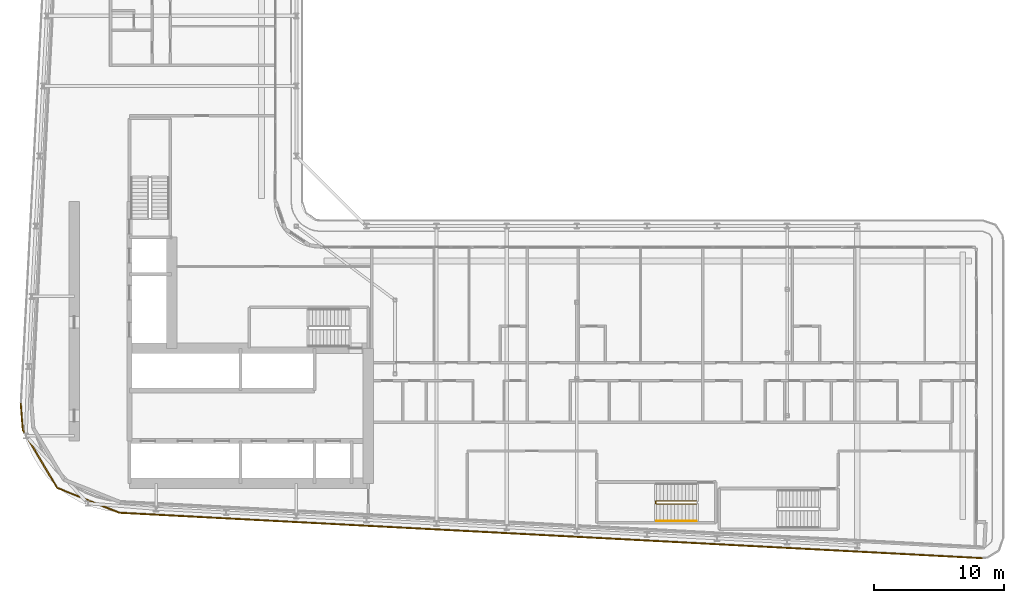
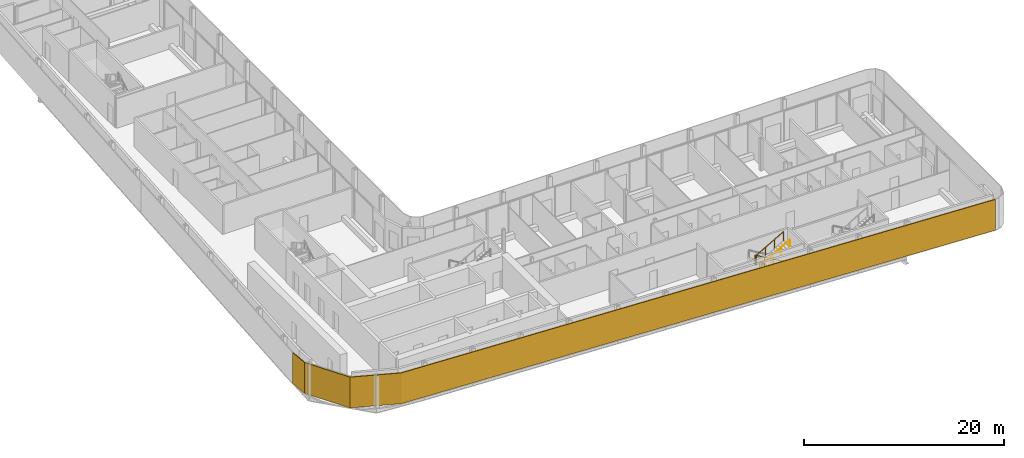
# One storey, part 24 of 28: 2 railings, 1 shading device.
"""IFC4 building model written with IfcOpenShell, lengths in metres."""

from ifc_helpers import new_model, si_unit, direction, frame, origin, origin_2d, place, context, subcontext, project, spatial, polyline, circle, outline, extrude, material, layer, layer_set, type_object, element, save


model = new_model("IFC4")

# Units and contexts
model_context = context("Model", 3, precision=1e-05, world=origin(), true_north=direction((0.0, 1.0)))
body_context = subcontext(model_context, "Body", "Model", "MODEL_VIEW")
ifc_project = project(units=[si_unit("LENGTHUNIT", "METRE"), si_unit("AREAUNIT", "SQUARE_METRE"), si_unit("VOLUMEUNIT", "CUBIC_METRE"), si_unit("PLANEANGLEUNIT", "RADIAN"), si_unit("MASSUNIT", "GRAM", prefix="KILO")], contexts=[model_context])

# Site, building, storey
site_placement = place(None, origin())
site = spatial("IfcSite", under=ifc_project, at=site_placement, CompositionType="ELEMENT")
building_placement = place(site_placement, origin())
building = spatial("IfcBuilding", under=site, at=building_placement, Name="Kheshtan School and Residences Tower", CompositionType="ELEMENT")
storey_placement = place(building_placement, frame((0.0, 0.0, 191.60009765625)))
storey = spatial("IfcBuildingStorey", under=building, at=storey_placement, Name="L45", CompositionType="ELEMENT", Elevation=191.60009765625)

# Shading device
ifc_material_1 = material(Name="Terracotta baguette, extruded ceramic", Category="masonry")
ifc_layer = layer(ifc_material_1, 0.10009765625)
ifc_layer_set = layer_set([ifc_layer], Name="Ledge screen, terracotta baguettes")
shading_device_type = type_object("IfcShadingDeviceType", Name="Ledge screen, terracotta baguettes", PredefinedType="USERDEFINED", material=ifc_layer_set)
shading_device_placement = place(storey_placement, origin())
element("IfcShadingDevice", 1, at=shading_device_placement, inside=storey, type_object=shading_device_type, Name="Screen L45 3", ObjectType="BAGUETTE", PredefinedType="USERDEFINED", context=body_context, shape_type="SweptSolid", body=[
    extrude(outline(polyline([(100.4208984375, 20.0830078125), (33.989013671875, 23.580078125), (29.2119140625, 25.486083984375), (26.583984375, 29.906982421875), (26.419921875, 31.989013671875), (26.320068359375, 31.98095703125), (26.486083984375, 29.8759765625), (29.14306640625, 25.406005859375), (33.967041015625, 23.48095703125), (100.416015625, 19.98291015625), (100.4208984375, 20.0830078125)])), origin(), (0.0, 0.0, 1.0), 3.75),
])

# Railings
ifc_material_2 = material(Name="Stainless steel balustrade", Category="steel")
railing_type_1 = type_object("IfcRailingType", Name="Stair guard 1100", PredefinedType="GUARDRAIL", material=ifc_material_2)
railing_1_placement = place(storey_placement, frame((78.409912109375, 24.449951171875, 0.162353515625)))
element("IfcRailing", 2, at=railing_1_placement, inside=storey, type_object=railing_type_1, Name="L45 ST5 stair guard 1", PredefinedType="GUARDRAIL", context=body_context, shape_type="SweptSolid", body=[
    extrude(circle(Radius=0.02392578125, at=origin_2d()), frame((0.0, 0.0, 1.076171875), z_axis=(-0.864873446163, 0.0, 0.501989962173), x_axis=(0.0, -1.0, 0.0)), (0.0, 0.0, 1.0), 3.56103515625),
    extrude(circle(Radius=0.02392578125, at=origin_2d()), frame((-3.079833984375, 0.0, 2.86376953125), z_axis=(-0.707106781187, -0.707106781187, 0.0), x_axis=(0.707106781187, -0.707106781187, 0.0)), (0.0, 0.0, 1.0), 0.07080078125),
    extrude(circle(Radius=0.02392578125, at=origin_2d()), frame((-3.1298828125, -0.050048828125, 2.86376953125), z_axis=(0.0, -1.0, 0.0), x_axis=(1.0, 0.0, 0.0)), (0.0, 0.0, 1.0), 0.14990234375),
    extrude(circle(Radius=0.02392578125, at=origin_2d()), frame((-3.1298828125, -0.199951171875, 2.86376953125), z_axis=(0.282583949758, -0.282583949758, 0.916674763849), x_axis=(0.707106781187, 0.707106781187, 0.0)), (0.0, 0.0, 1.0), 0.177001953125),
    extrude(circle(Radius=0.02392578125, at=origin_2d()), frame((-3.079833984375, -0.25, 3.02587890625), z_axis=(0.864873446163, 0.0, 0.501989962173), x_axis=(0.0, 1.0, 0.0)), (0.0, 0.0, 1.0), 3.56103515625),
    extrude(circle(Radius=0.02099609375, at=origin_2d()), origin(), (0.0, 0.0, 1.0), 1.052001953125),
    extrude(circle(Radius=0.02099609375, at=origin_2d()), frame((-1.026611328125, 0.0, 0.595947265625)), (0.0, 0.0, 1.0), 1.052001953125),
    extrude(circle(Radius=0.02099609375, at=origin_2d()), frame((-2.05322265625, 0.0, 1.191650390625)), (0.0, 0.0, 1.0), 1.052001953125),
    extrude(circle(Radius=0.02099609375, at=origin_2d()), frame((-3.079833984375, 0.0, 1.78759765625)), (0.0, 0.0, 1.0), 1.052001953125),
    extrude(circle(Radius=0.02099609375, at=origin_2d()), frame((-3.1298828125, -0.050048828125, 1.78759765625)), (0.0, 0.0, 1.0), 1.052001953125),
    extrude(circle(Radius=0.02099609375, at=origin_2d()), frame((-3.1298828125, -0.199951171875, 1.78759765625)), (0.0, 0.0, 1.0), 1.052001953125),
    extrude(circle(Radius=0.02099609375, at=origin_2d()), frame((-3.079833984375, -0.25, 1.949951171875)), (0.0, 0.0, 1.0), 1.052001953125),
    extrude(circle(Radius=0.02099609375, at=origin_2d()), frame((-2.05322265625, -0.25, 2.5458984375)), (0.0, 0.0, 1.0), 1.052001953125),
    extrude(circle(Radius=0.02099609375, at=origin_2d()), frame((-1.026611328125, -0.25, 3.1416015625)), (0.0, 0.0, 1.0), 1.052001953125),
    extrude(circle(Radius=0.02099609375, at=origin_2d()), frame((0.0, -0.25, 3.737548828125)), (0.0, 0.0, 1.0), 1.052001953125),
])
ifc_material_3 = material(Name="Stainless steel handrail", Category="steel")
railing_type_2 = type_object("IfcRailingType", Name="Stair handrail 900", PredefinedType="HANDRAIL", material=ifc_material_3)
railing_2_placement = place(storey_placement, frame((75.330078125, 22.89990234375, 2.1123046875)))
element("IfcRailing", 3, at=railing_2_placement, inside=storey, type_object=railing_type_2, Name="L45 ST5 stair handrail 2", PredefinedType="HANDRAIL", context=body_context, shape_type="SweptSolid", body=[
    extrude(circle(Radius=0.02392578125, at=origin_2d()), frame((0.0, 0.0, 0.8759765625), z_axis=(0.864873446163, 0.0, 0.501989962173), x_axis=(0.0, 1.0, 0.0)), (0.0, 0.0, 1.0), 3.56103515625),
    extrude(circle(Radius=0.02099609375, at=origin_2d()), origin(), (0.0, 0.0, 1.0), 0.851806640625),
    extrude(circle(Radius=0.02099609375, at=origin_2d()), frame((1.026611328125, 0.0, 0.595947265625)), (0.0, 0.0, 1.0), 0.851806640625),
    extrude(circle(Radius=0.02099609375, at=origin_2d()), frame((2.05322265625, 0.0, 1.191650390625)), (0.0, 0.0, 1.0), 0.851806640625),
    extrude(circle(Radius=0.02099609375, at=origin_2d()), frame((3.079833984375, 0.0, 1.78759765625)), (0.0, 0.0, 1.0), 0.851806640625),
])

save(model, "model.ifc")
